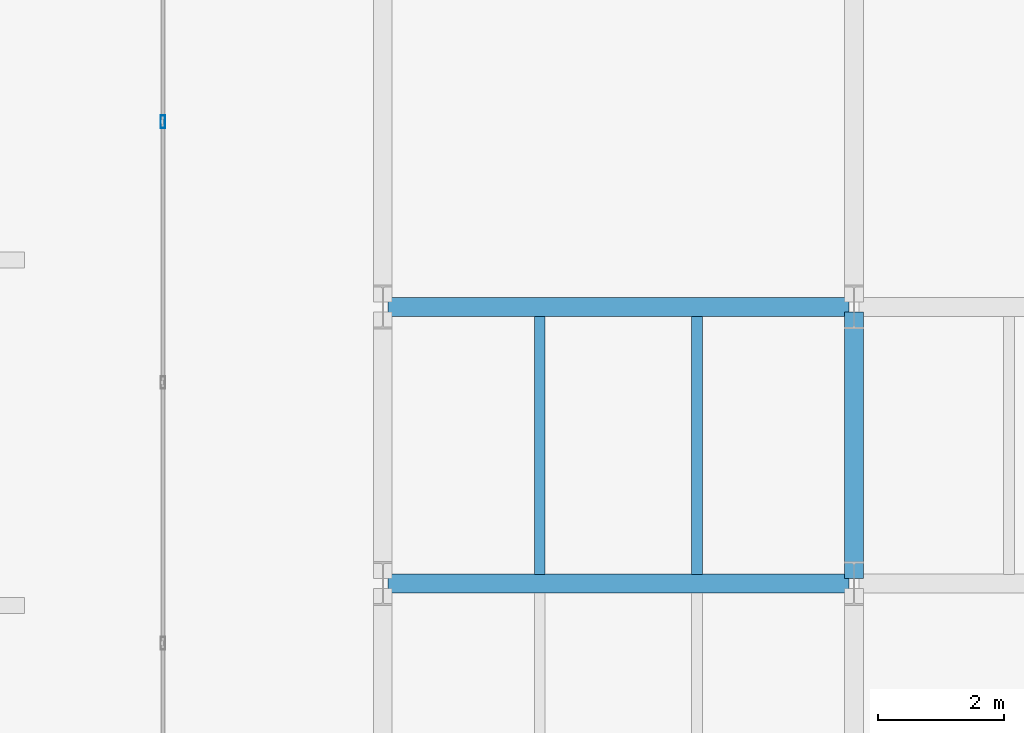
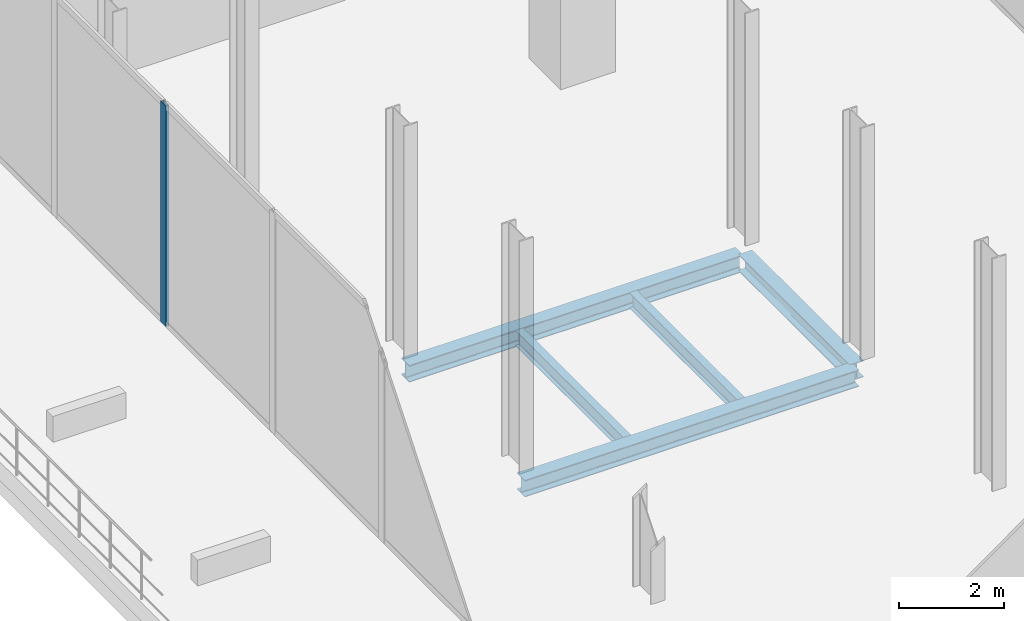
# One storey, part 3 of 18: 5 beams, 1 member, 1 element without a shape of its own.
"""IFC4 building model written with IfcOpenShell, lengths in metres."""

from ifc_helpers import new_model, si_unit, direction, frame, origin, origin_2d, place, context, subcontext, project, spatial, hollow_rectangle, i_section, extrude, material, layer, layer_set, material_profile, profile_set, type_object, element, aggregate, save


model = new_model("IFC4")

# Units and contexts
model_context = context("Model", 3, precision=1e-05, world=origin(), true_north=direction((0.0, 1.0)))
body_context = subcontext(model_context, "Body", "Model", "MODEL_VIEW")
ifc_project = project(units=[si_unit("LENGTHUNIT", "METRE"), si_unit("AREAUNIT", "SQUARE_METRE"), si_unit("VOLUMEUNIT", "CUBIC_METRE"), si_unit("PLANEANGLEUNIT", "RADIAN"), si_unit("MASSUNIT", "GRAM", prefix="KILO")], contexts=[model_context])

# Site, building, storey
site_placement = place(None, origin())
site = spatial("IfcSite", under=ifc_project, at=site_placement, CompositionType="ELEMENT")
building_placement = place(site_placement, origin())
building = spatial("IfcBuilding", under=site, at=building_placement, Name="Catumbela Crestline Tower", CompositionType="ELEMENT")
storey_placement = place(building_placement, frame((0.0, 0.0, 148.8)))
storey = spatial("IfcBuildingStorey", under=building, at=storey_placement, Name="L38", CompositionType="ELEMENT", Elevation=148.8)

# Beams
ifc_material_1 = material(Name="Structural steel S355J2", Category="steel")
ifc_material_profile_1 = material_profile(ifc_material_1, i_section(OverallWidth=0.3, OverallDepth=0.39, WebThickness=0.011, FlangeThickness=0.019, FilletRadius=0.027, at=origin_2d()), Name="HEA 400")
ifc_profile_set_1 = profile_set([ifc_material_profile_1], Name="Structural steel S355J2")
beam_type_1 = type_object("IfcBeamType", Name="BG-HEA400", PredefinedType="BEAM", material=ifc_profile_set_1)
for number, where, z_axis, x_axis, name in (
    (1, (8.58, 13.6, -0.545), (1.0, 0.0, 0.0), (0.0, 1.0, 0.0), "L38 Beam BM-L38-WEW33"),
    (2, (8.58, 18.0, -0.545), (1.0, 0.0, 0.0), (0.0, 1.0, 0.0), "L38 Beam BM-L38-WEW35"),
):
    element("IfcBeam", number, at=place(storey_placement, frame(where, z_axis=z_axis, x_axis=x_axis)), inside=storey, type_object=beam_type_1, Name=name, PredefinedType="BEAM", context=body_context, shape_type="SweptSolid", body=[
        extrude(i_section(OverallWidth=0.3, OverallDepth=0.39, WebThickness=0.011, FlangeThickness=0.019, FilletRadius=0.027, at=origin_2d()), origin(), (0.0, 0.0, 1.0), 7.34),
    ])
beam_placement = place(storey_placement, frame((16.0, 13.68, -0.545), z_axis=(0.0, 1.0, 0.0), x_axis=(-1.0, 0.0, 0.0)))
element("IfcBeam", 3, at=beam_placement, inside=storey, type_object=beam_type_1, Name="L38 Beam BM-L38-WNS41", PredefinedType="BEAM", context=body_context, shape_type="SweptSolid", body=[
    extrude(i_section(OverallWidth=0.3, OverallDepth=0.39, WebThickness=0.011, FlangeThickness=0.019, FilletRadius=0.027, at=origin_2d()), origin(), (0.0, 0.0, 1.0), 4.24),
])
ifc_material_profile_2 = material_profile(ifc_material_1, i_section(OverallWidth=0.17, OverallDepth=0.36, WebThickness=0.008, FlangeThickness=0.0127, FilletRadius=0.018, at=origin_2d()), Name="IPE 360")
ifc_profile_set_2 = profile_set([ifc_material_profile_2], Name="Structural steel S355J2")
beam_type_2 = type_object("IfcBeamType", Name="BJ-IPE360", PredefinedType="JOIST", material=ifc_profile_set_2)
for number, where, z_axis, x_axis, name in (
    (4, (11.0, 13.747, -0.53), (0.0, 1.0, 0.0), (-1.0, 0.0, 0.0), "L38 Joist JS-L38-WG46"),
    (5, (13.5, 13.747, -0.53), (0.0, 1.0, 0.0), (-1.0, 0.0, 0.0), "L38 Joist JS-L38-WG47"),
):
    element("IfcBeam", number, at=place(storey_placement, frame(where, z_axis=z_axis, x_axis=x_axis)), inside=storey, type_object=beam_type_2, Name=name, PredefinedType="JOIST", context=body_context, shape_type="SweptSolid", body=[
        extrude(i_section(OverallWidth=0.17, OverallDepth=0.36, WebThickness=0.008, FlangeThickness=0.0127, FilletRadius=0.018, at=origin_2d()), origin(), (0.0, 0.0, 1.0), 4.106),
    ])

# Curtain wall, member
ifc_material_2 = material(Name="Aluminium alloy AW-6060-T66", Category="aluminium")
ifc_layer = layer(ifc_material_2, 0.18, Name="Aluminium alloy AW-6060-T66")
ifc_layer_set = layer_set([ifc_layer], Name="Aluminium alloy AW-6060-T66")
curtain_wall_type = type_object("IfcCurtainWallType", Name="CWU-SKY", PredefinedType="USERDEFINED", material=ifc_layer_set)
curtain_wall_placement = place(storey_placement, origin())
curtain_wall = element("IfcCurtainWall", 6, at=curtain_wall_placement, inside=storey, type_object=curtain_wall_type, Name="L38 Unitised Curtain Wall CW-L38-E9S2", ObjectType="UNITISED", PredefinedType="USERDEFINED")
ifc_material_profile_3 = material_profile(ifc_material_2, hollow_rectangle(XDim=0.075, YDim=0.2, WallThickness=0.005, at=origin_2d()), Name="ALU 200x75x5")
ifc_profile_set_3 = profile_set([ifc_material_profile_3], Name="Aluminium alloy AW-6060-T66")
member_type = type_object("IfcMemberType", Name="MUL-200X75", PredefinedType="MULLION", material=ifc_profile_set_3)
member_placement = place(storey_placement, frame((5.0, 20.95, 0.0), z_axis=(0.0, 0.0, 1.0), x_axis=(1.0, 0.0, 0.0)))
member = element("IfcMember", 7, at=member_placement, type_object=member_type, Name="CWU-SKY mullion 4", PredefinedType="MULLION", context=body_context, shape_type="SweptSolid", body=[
    extrude(hollow_rectangle(XDim=0.075, YDim=0.2, WallThickness=0.005, at=origin_2d()), origin(), (0.0, 0.0, 1.0), 5.13),
])
aggregate(curtain_wall, [member])

save(model, "model.ifc")
